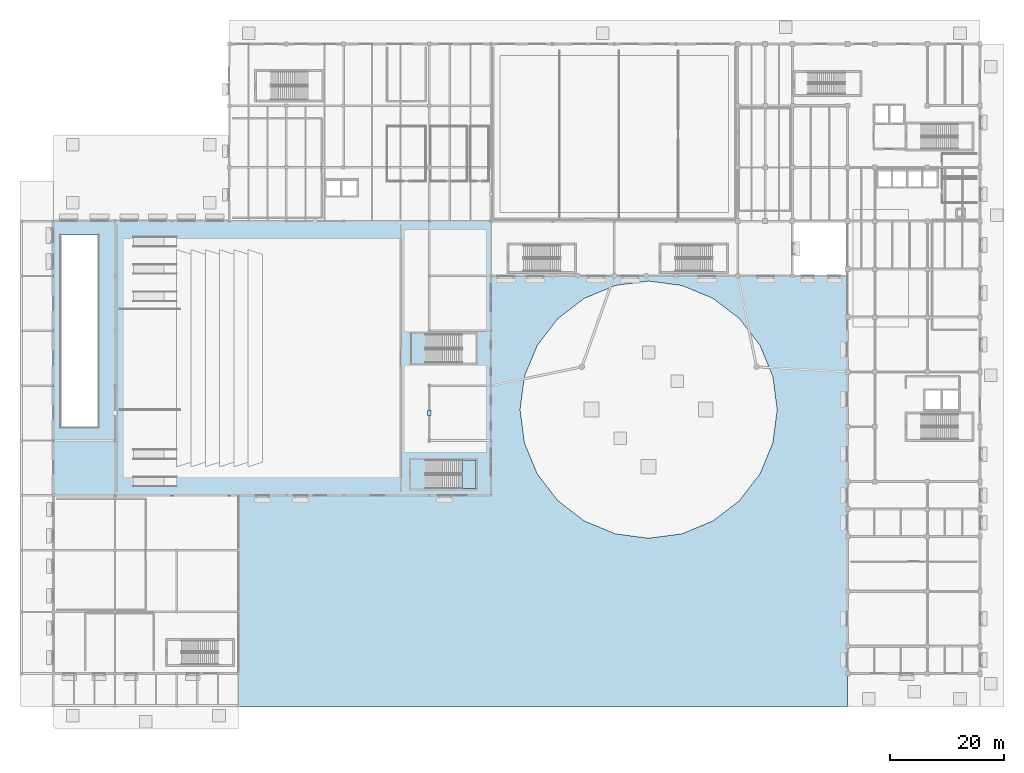
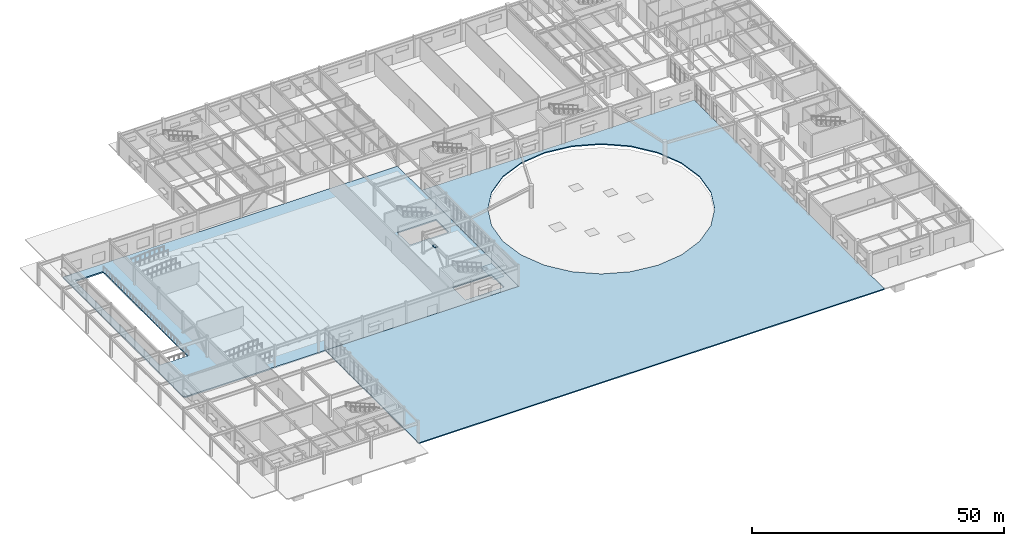
# One storey, part 23 of 54: 3 slabs, 1 plate, 1 element without a shape of its own.
"""IFC4 building model written with IfcOpenShell, lengths in metres."""

from ifc_helpers import new_model, si_unit, direction, frame, origin, origin_2d, place, context, subcontext, project, spatial, polyline, rectangle, outline, extrude, material, layer, layer_set, type_object, element, aggregate, save


model = new_model("IFC4")

# Units and contexts
model_context = context("Model", 3, precision=1e-05, world=origin(), true_north=direction((0.0, 1.0)))
body_context = subcontext(model_context, "Body", "Model", "MODEL_VIEW")
ifc_project = project(units=[si_unit("LENGTHUNIT", "METRE"), si_unit("AREAUNIT", "SQUARE_METRE"), si_unit("VOLUMEUNIT", "CUBIC_METRE"), si_unit("PLANEANGLEUNIT", "RADIAN"), si_unit("MASSUNIT", "GRAM", prefix="KILO")], contexts=[model_context])

# Site, building, storey
site_placement = place(None, origin())
site = spatial("IfcSite", under=ifc_project, at=site_placement, CompositionType="ELEMENT")
building_placement = place(site_placement, origin())
building = spatial("IfcBuilding", under=site, at=building_placement, Name="Veldera Park Congress Hotel", CompositionType="ELEMENT")
storey_placement = place(building_placement, origin())
storey = spatial("IfcBuildingStorey", under=building, at=storey_placement, Name="L00", CompositionType="ELEMENT", Elevation=0.0)

# Plate
ifc_material_1 = material(Name="Steel ASTM A572 Gr.50", Category="steel")
ifc_layer_1 = layer(ifc_material_1, 0.050048828125)
ifc_layer_set_1 = layer_set([ifc_layer_1], Name="Steel ASTM A572 Gr.50")
plate_type = type_object("IfcPlateType", Name="PLT-GUS05", PredefinedType="USERDEFINED", material=ifc_layer_set_1)
plate_placement = place(storey_placement, frame((-12.39990234375, -6.60009765625, 4.74853515625), z_axis=(0.0, 0.0, 1.0), x_axis=(0.0, 1.0, 0.0)))
element("IfcPlate", 1, at=plate_placement, inside=storey, type_object=plate_type, Name="Chevron Apex Gusset Plate 6", ObjectType="GUSSET PLATE", PredefinedType="USERDEFINED", context=body_context, shape_type="SweptSolid", body=[
    extrude(rectangle(XDim=0.89990234375, YDim=0.639892578125, at=origin_2d()), origin(), (0.0, 0.0, 1.0), 0.050048828125),
])

# Slabs
ifc_material_2 = material(Name="Concrete f'c 35 MPa (5,000 psi)", Category="concrete")
ifc_layer_2 = layer(ifc_material_2, 0.25)
ifc_layer_set_2 = layer_set([ifc_layer_2], Name="Concrete f'c 35 MPa (5,000 psi)")
slab_type_1 = type_object("IfcSlabType", Name="SLB-APR250", PredefinedType="BASESLAB", material=ifc_layer_set_2)
slab_1_placement = place(storey_placement, frame((0.0, 0.0, -0.25)))
element("IfcSlab", 2, at=slab_1_placement, inside=storey, type_object=slab_type_1, Name="L00 Exterior Arrival Terrace Apron SLB-APR-COURT", PredefinedType="BASESLAB", context=body_context, shape_type="SweptSolid", body=[
    extrude(outline(polyline([(-45.800048828125, -58.0), (60.800048828125, -58.0), (60.800048828125, 17.39990234375), (-1.60009765625, 17.39990234375), (-1.60009765625, -21.0), (-45.800048828125, -21.0), (-45.800048828125, -58.0)]), holes=[polyline([(48.5, -6.0), (47.7333984375, -0.176513671875), (45.485595703125, 5.25), (41.909912109375, 9.909912109375), (37.25, 13.485595703125), (31.823486328125, 15.7333984375), (26.0, 16.5), (20.176513671875, 15.7333984375), (14.75, 13.485595703125), (10.090087890625, 9.909912109375), (6.514404296875, 5.25), (4.2666015625, -0.176513671875), (3.5, -6.0), (4.2666015625, -11.823486328125), (6.514404296875, -17.25), (10.090087890625, -21.909912109375), (14.75, -25.485595703125), (20.176513671875, -27.7333984375), (26.0, -28.5), (31.823486328125, -27.7333984375), (37.25, -25.485595703125), (41.909912109375, -21.909912109375), (45.485595703125, -17.25), (47.7333984375, -11.823486328125), (48.5, -6.0)])]), origin(), (0.0, 0.0, 1.0), 0.25),
])
ifc_material_3 = material(Name="Concrete f'c 40 MPa (5,800 psi)", Category="concrete")
ifc_layer_3 = layer(ifc_material_3, 0.300048828125)
ifc_layer_set_3 = layer_set([ifc_layer_3], Name="Concrete f'c 40 MPa (5,800 psi)")
slab_type_2 = type_object("IfcSlabType", Name="SLB-RC300", PredefinedType="FLOOR", material=ifc_layer_set_3)
slab_2_placement = place(storey_placement, frame((0.0, 0.0, -0.300048828125)))
element("IfcSlab", 3, at=slab_2_placement, inside=storey, type_object=slab_type_2, Name="L00 Ground Floor Slab SLB-L00-V1", PredefinedType="FLOOR", context=body_context, shape_type="SweptSolid", body=[
    extrude(outline(polyline([(-78.199951171875, -20.739990234375), (-77.93994140625, -20.739990234375), (-77.93994140625, -21.0), (-1.60009765625, -21.0), (-1.60009765625, 27.0), (-78.199951171875, 27.0), (-78.199951171875, -20.739990234375)]), holes=[polyline([(-13.0849609375, -19.800048828125), (-4.199951171875, -19.800048828125), (-4.199951171875, -14.800048828125), (-13.0849609375, -14.800048828125), (-13.0849609375, -19.800048828125)]), polyline([(-13.0849609375, 2.199951171875), (-4.199951171875, 2.199951171875), (-4.199951171875, 7.199951171875), (-13.0849609375, 7.199951171875), (-13.0849609375, 2.199951171875)]), polyline([(-76.800048828125, -9.0), (-70.39990234375, -9.0), (-70.39990234375, 24.60009765625), (-76.800048828125, 24.60009765625), (-76.800048828125, -9.0)])]), origin(), (0.0, 0.0, 1.0), 0.300048828125),
])

# Stair, slab
stair_type = type_object("IfcStairType", Name="ST5", PredefinedType="HALF_TURN_STAIR", material=ifc_material_3)
stair_placement = place(storey_placement, origin())
stair = element("IfcStair", 4, at=stair_placement, inside=storey, type_object=stair_type, Name="L00 Protected Exit Stair ST5", PredefinedType="HALF_TURN_STAIR")
ifc_layer_4 = layer(ifc_material_3, 0.199951171875)
ifc_layer_set_4 = layer_set([ifc_layer_4], Name="Concrete f'c 40 MPa (5,800 psi)")
slab_type_3 = type_object("IfcSlabType", Name="SLD-ST5", PredefinedType="LANDING", material=ifc_layer_set_4)
slab_3_placement = place(storey_placement, frame((0.0, 0.0, 2.5)))
slab_3 = element("IfcSlab", 5, at=slab_3_placement, type_object=slab_type_3, Name="ST5 landing 1", PredefinedType="LANDING", context=body_context, shape_type="SweptSolid", body=[
    extrude(outline(polyline([(-6.655029296875, -19.800048828125), (-4.199951171875, -19.800048828125), (-4.199951171875, -14.800048828125), (-6.655029296875, -14.800048828125), (-6.655029296875, -19.800048828125)])), origin(), (0.0, 0.0, 1.0), 0.199951171875),
])
aggregate(stair, [slab_3])

save(model, "model.ifc")
